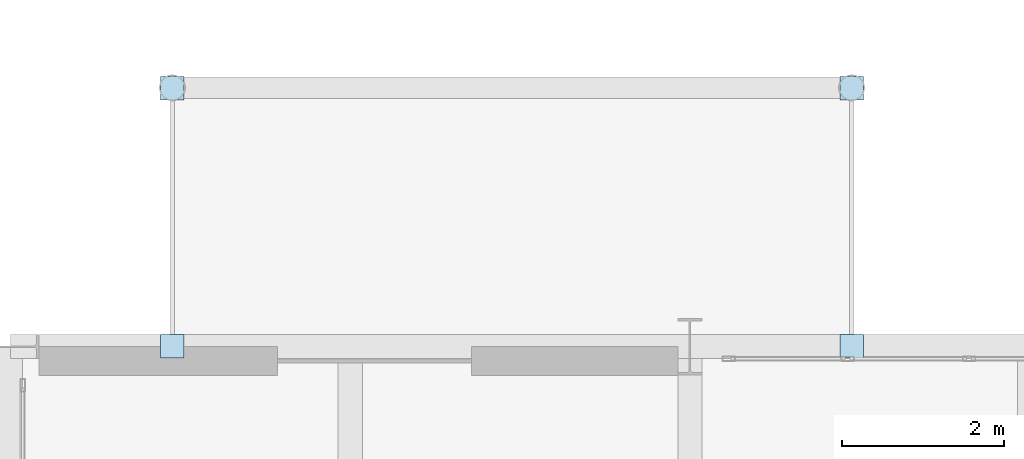
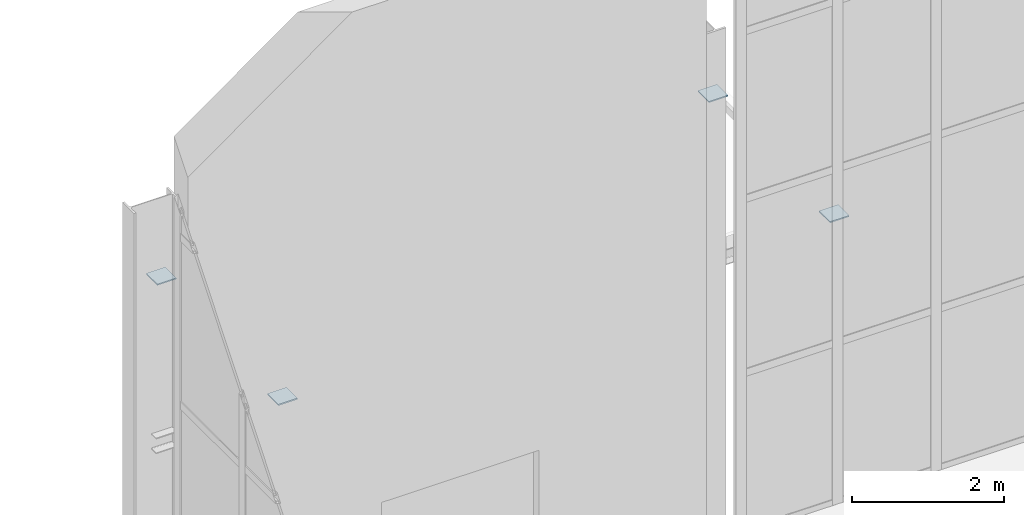
# One storey, part 113 of 131: 4 plates.
"""IFC4 building model written with IfcOpenShell, lengths in metres."""

from ifc_helpers import new_model, si_unit, direction, frame, origin, origin_2d, place, context, subcontext, project, spatial, rectangle, extrude, material, layer, layer_set, type_object, element, save


model = new_model("IFC4")

# Units and contexts
model_context = context("Model", 3, precision=1e-05, world=origin(), true_north=direction((0.0, 1.0)))
body_context = subcontext(model_context, "Body", "Model", "MODEL_VIEW")
ifc_project = project(units=[si_unit("LENGTHUNIT", "METRE"), si_unit("AREAUNIT", "SQUARE_METRE"), si_unit("VOLUMEUNIT", "CUBIC_METRE"), si_unit("PLANEANGLEUNIT", "RADIAN"), si_unit("MASSUNIT", "GRAM", prefix="KILO")], contexts=[model_context])

# Site, building, storey
site_placement = place(None, origin())
site = spatial("IfcSite", under=ifc_project, at=site_placement, CompositionType="ELEMENT")
building_placement = place(site_placement, origin())
building = spatial("IfcBuilding", under=site, at=building_placement, Name="Veltarok Museum of Natural Sciences", CompositionType="ELEMENT")
storey_placement = place(building_placement, origin())
storey = spatial("IfcBuildingStorey", under=building, at=storey_placement, Name="L00", CompositionType="ELEMENT", Elevation=0.0)

# Plates
ifc_material = material(Name="Steel S355J2", Category="steel")
ifc_layer = layer(ifc_material, 0.02001953125)
ifc_layer_set = layer_set([ifc_layer], Name="Steel S355J2")
plate_type = type_object("IfcPlateType", Name="Hollow End Closure Plate D290x20", PredefinedType="USERDEFINED", material=ifc_layer_set)
for number, where, z_axis, x_axis, name in (
    (1, (33.60009765625, 103.99609375, 4.530029296875), (0.0, 0.0, 1.0), (0.0, 1.0, 0.0), "End Cap Plate CP-273 9"),
    (2, (33.60009765625, 100.803955078125, 4.530029296875), (0.0, 0.0, 1.0), (0.0, 1.0, 0.0), "End Cap Plate CP-273 10"),
    (3, (42.0, 103.99609375, 4.530029296875), (0.0, 0.0, 1.0), (0.0, 1.0, 0.0), "End Cap Plate CP-273 11"),
    (4, (42.0, 100.803955078125, 4.530029296875), (0.0, 0.0, 1.0), (0.0, 1.0, 0.0), "End Cap Plate CP-273 12"),
):
    element("IfcPlate", number, at=place(storey_placement, frame(where, z_axis=z_axis, x_axis=x_axis)), inside=storey, type_object=plate_type, Name=name, ObjectType="END CAP PLATE", PredefinedType="USERDEFINED", context=body_context, shape_type="SweptSolid", body=[
        extrude(rectangle(XDim=0.2900390625, YDim=0.2900390625, at=origin_2d()), origin(), (0.0, 0.0, 1.0), 0.02001953125),
    ])

save(model, "model.ifc")
